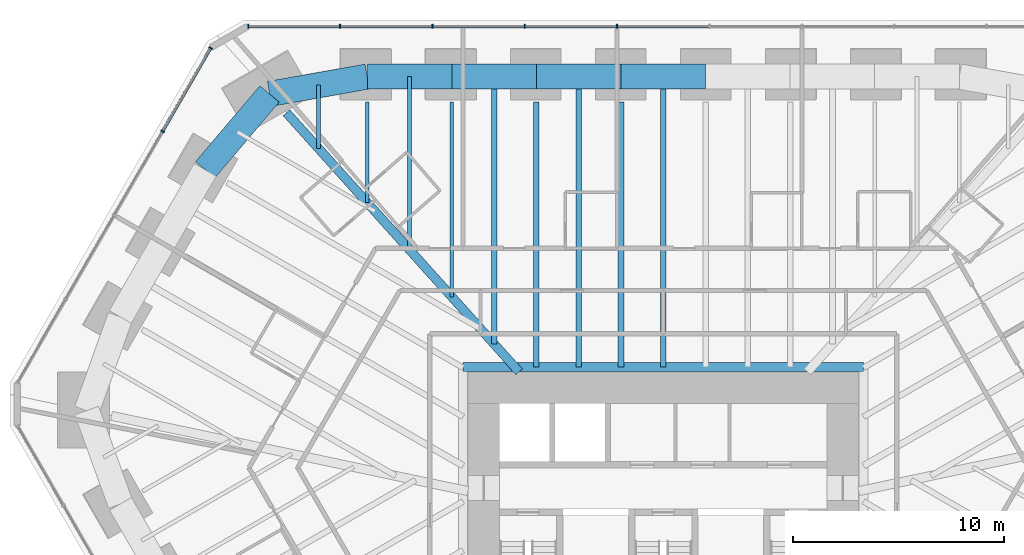
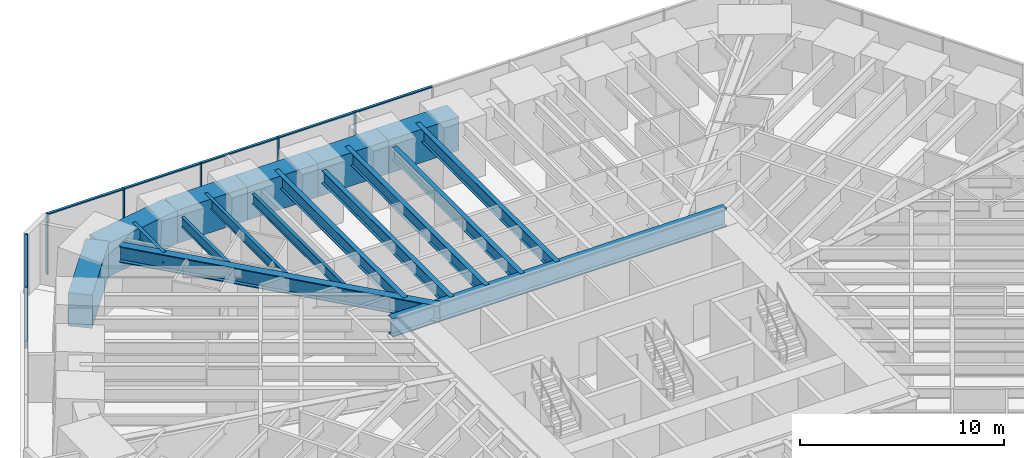
# One storey, part 8 of 17: 17 beams, 13 members, 2 elements without a shape of their own.
"""IFC4 building model written with IfcOpenShell, lengths in metres."""

from ifc_helpers import new_model, si_unit, direction, frame, origin, origin_2d, place, context, subcontext, project, spatial, rectangle, i_section, extrude, material, material_profile, profile_set, type_object, element, aggregate, save


model = new_model("IFC4")

# Units and contexts
model_context = context("Model", 3, precision=1e-05, world=origin(), true_north=direction((0.0, 1.0)))
body_context = subcontext(model_context, "Body", "Model", "MODEL_VIEW")
ifc_project = project(units=[si_unit("LENGTHUNIT", "METRE"), si_unit("AREAUNIT", "SQUARE_METRE"), si_unit("VOLUMEUNIT", "CUBIC_METRE"), si_unit("PLANEANGLEUNIT", "RADIAN"), si_unit("MASSUNIT", "GRAM", prefix="KILO")], contexts=[model_context])

# Site, building, storey
site_placement = place(None, origin())
site = spatial("IfcSite", under=ifc_project, at=site_placement, CompositionType="ELEMENT")
building_placement = place(site_placement, origin())
building = spatial("IfcBuilding", under=site, at=building_placement, Name="Sandreach Pilgrim Tower", CompositionType="ELEMENT")
storey_placement = place(building_placement, frame((0.0, 0.0, 83.800048828125)))
storey = spatial("IfcBuildingStorey", under=building, at=storey_placement, Name="L20", CompositionType="ELEMENT", Elevation=83.800048828125)

# Curtain wall, members
ifc_material_1 = material(Name="Aluminium framed curtain wall", Category="aluminium")
curtain_wall_type = type_object("IfcCurtainWallType", Name="Hostel tower curtain wall", PredefinedType="NOTDEFINED", material=ifc_material_1)
curtain_wall_1_placement = place(storey_placement, origin())
curtain_wall_1 = element("IfcCurtainWall", 1, at=curtain_wall_1_placement, inside=storey, type_object=curtain_wall_type, Name="CW-1 L20 N", PredefinedType="NOTDEFINED")
ifc_material_2 = material(Name="Aluminium extrusion", Category="aluminium")
ifc_material_profile_1 = material_profile(ifc_material_2, rectangle(XDim=0.06494140625, YDim=0.179931640625, at=origin_2d()), Name="CW-1M 65X180")
ifc_profile_set_1 = profile_set([ifc_material_profile_1], Name="Aluminium extrusion")
member_type_1 = type_object("IfcMemberType", Name="CW-1 mullion", PredefinedType="MULLION", material=ifc_profile_set_1)
member_1_placement = place(storey_placement, frame((-19.6396484375, 23.94873046875, 0.0), z_axis=(0.0, 0.0, 1.0), x_axis=(1.0, 0.0, 0.0)))
member_1 = element("IfcMember", 2, at=member_1_placement, type_object=member_type_1, Name="CW-1 mullion 1", PredefinedType="MULLION", context=body_context, shape_type="SweptSolid", body=[
    extrude(rectangle(XDim=0.06494140625, YDim=0.179931640625, at=origin_2d()), origin(), (0.0, 0.0, 1.0), 3.639892578125),
])
member_2_placement = place(storey_placement, frame((-15.300537109375, 23.94873046875, 0.0), z_axis=(0.0, 0.0, 1.0), x_axis=(1.0, 0.0, 0.0)))
member_2 = element("IfcMember", 3, at=member_2_placement, type_object=member_type_1, Name="CW-1 mullion 2", PredefinedType="MULLION", context=body_context, shape_type="SweptSolid", body=[
    extrude(rectangle(XDim=0.06494140625, YDim=0.179931640625, at=origin_2d()), origin(), (0.0, 0.0, 1.0), 3.639892578125),
])
member_3_placement = place(storey_placement, frame((-10.928955078125, 23.94873046875, 0.0), z_axis=(0.0, 0.0, 1.0), x_axis=(1.0, 0.0, 0.0)))
member_3 = element("IfcMember", 4, at=member_3_placement, type_object=member_type_1, Name="CW-1 mullion 3", PredefinedType="MULLION", context=body_context, shape_type="SweptSolid", body=[
    extrude(rectangle(XDim=0.06494140625, YDim=0.179931640625, at=origin_2d()), origin(), (0.0, 0.0, 1.0), 3.639892578125),
])
member_4_placement = place(storey_placement, frame((-6.557373046875, 23.94873046875, 0.0), z_axis=(0.0, 0.0, 1.0), x_axis=(1.0, 0.0, 0.0)))
member_4 = element("IfcMember", 5, at=member_4_placement, type_object=member_type_1, Name="CW-1 mullion 4", PredefinedType="MULLION", context=body_context, shape_type="SweptSolid", body=[
    extrude(rectangle(XDim=0.06494140625, YDim=0.179931640625, at=origin_2d()), origin(), (0.0, 0.0, 1.0), 3.639892578125),
])
member_5_placement = place(storey_placement, frame((-2.185791015625, 23.94873046875, 0.0), z_axis=(0.0, 0.0, 1.0), x_axis=(1.0, 0.0, 0.0)))
member_5 = element("IfcMember", 6, at=member_5_placement, type_object=member_type_1, Name="CW-1 mullion 5", PredefinedType="MULLION", context=body_context, shape_type="SweptSolid", body=[
    extrude(rectangle(XDim=0.06494140625, YDim=0.179931640625, at=origin_2d()), origin(), (0.0, 0.0, 1.0), 3.639892578125),
])

curtain_wall_2_placement = place(storey_placement, origin())
curtain_wall_2 = element("IfcCurtainWall", 7, at=curtain_wall_2_placement, inside=storey, type_object=curtain_wall_type, Name="CW-1 L20 NW", PredefinedType="NOTDEFINED")
member_6_placement = place(storey_placement, frame((-23.697265625, 18.97705078125, 0.0), z_axis=(0.0, 0.0, 1.0), x_axis=(0.5, 0.866025403784, 0.0)))
member_6 = element("IfcMember", 8, at=member_6_placement, type_object=member_type_1, Name="CW-1 mullion 4", PredefinedType="MULLION", context=body_context, shape_type="SweptSolid", body=[
    extrude(rectangle(XDim=0.06494140625, YDim=0.179931640625, at=origin_2d()), origin(), (0.0, 0.0, 1.0), 3.639892578125),
])
member_7_placement = place(storey_placement, frame((-21.42041015625, 22.920654296875, 0.0), z_axis=(0.0, 0.0, 1.0), x_axis=(0.5, 0.866025403784, 0.0)))
member_7 = element("IfcMember", 9, at=member_7_placement, type_object=member_type_1, Name="CW-1 mullion 5", PredefinedType="MULLION", context=body_context, shape_type="SweptSolid", body=[
    extrude(rectangle(XDim=0.06494140625, YDim=0.179931640625, at=origin_2d()), origin(), (0.0, 0.0, 1.0), 3.639892578125),
])

# Member
ifc_material_3 = material(Name="Aluminium extrusion", Category="aluminium")
ifc_material_profile_2 = material_profile(ifc_material_3, rectangle(XDim=0.139892578125, YDim=0.070068359375, at=origin_2d()), Name="CW-1T 140X70")
ifc_profile_set_2 = profile_set([ifc_material_profile_2], Name="Aluminium extrusion")
member_type_2 = type_object("IfcMemberType", Name="CW-1 transom", PredefinedType="USERDEFINED", material=ifc_profile_set_2)
member_8_placement = place(storey_placement, frame((-19.607177734375, 23.94873046875, 3.60498046875), z_axis=(1.0, 0.0, 0.0), x_axis=(0.0, 1.0, 0.0)))
member_8 = element("IfcMember", 10, at=member_8_placement, type_object=member_type_2, Name="CW-1 head transom 1", ObjectType="TRANSOM", PredefinedType="USERDEFINED", context=body_context, shape_type="SweptSolid", body=[
    extrude(rectangle(XDim=0.139892578125, YDim=0.070068359375, at=origin_2d()), origin(), (0.0, 0.0, 1.0), 4.274169921875),
])

member_9_placement = place(storey_placement, frame((-15.26806640625, 23.94873046875, 3.60498046875), z_axis=(1.0, 0.0, 0.0), x_axis=(0.0, 1.0, 0.0)))
member_9 = element("IfcMember", 11, at=member_9_placement, type_object=member_type_2, Name="CW-1 head transom 2", ObjectType="TRANSOM", PredefinedType="USERDEFINED", context=body_context, shape_type="SweptSolid", body=[
    extrude(rectangle(XDim=0.139892578125, YDim=0.070068359375, at=origin_2d()), origin(), (0.0, 0.0, 1.0), 4.306640625),
])

member_10_placement = place(storey_placement, frame((-10.896484375, 23.94873046875, 3.60498046875), z_axis=(1.0, 0.0, 0.0), x_axis=(0.0, 1.0, 0.0)))
member_10 = element("IfcMember", 12, at=member_10_placement, type_object=member_type_2, Name="CW-1 head transom 3", ObjectType="TRANSOM", PredefinedType="USERDEFINED", context=body_context, shape_type="SweptSolid", body=[
    extrude(rectangle(XDim=0.139892578125, YDim=0.070068359375, at=origin_2d()), origin(), (0.0, 0.0, 1.0), 4.306640625),
])

member_11_placement = place(storey_placement, frame((-6.52490234375, 23.94873046875, 3.60498046875), z_axis=(1.0, 0.0, 0.0), x_axis=(0.0, 1.0, 0.0)))
member_11 = element("IfcMember", 13, at=member_11_placement, type_object=member_type_2, Name="CW-1 head transom 4", ObjectType="TRANSOM", PredefinedType="USERDEFINED", context=body_context, shape_type="SweptSolid", body=[
    extrude(rectangle(XDim=0.139892578125, YDim=0.070068359375, at=origin_2d()), origin(), (0.0, 0.0, 1.0), 4.306640625),
])

member_12_placement = place(storey_placement, frame((-2.1533203125, 23.94873046875, 3.60498046875), z_axis=(1.0, 0.0, 0.0), x_axis=(0.0, 1.0, 0.0)))
member_12 = element("IfcMember", 14, at=member_12_placement, type_object=member_type_2, Name="CW-1 head transom 5", ObjectType="TRANSOM", PredefinedType="USERDEFINED", context=body_context, shape_type="SweptSolid", body=[
    extrude(rectangle(XDim=0.139892578125, YDim=0.070068359375, at=origin_2d()), origin(), (0.0, 0.0, 1.0), 4.306640625),
])

aggregate(curtain_wall_1, [member_1, member_2, member_3, member_4, member_5, member_8, member_9, member_10, member_11, member_12])

member_13_placement = place(storey_placement, frame((-23.680908203125, 19.005126953125, 3.60498046875), z_axis=(0.500017500808, 0.866015299452, 0.0), x_axis=(-0.866015299452, 0.500017500808, 0.0)))
member_13 = element("IfcMember", 15, at=member_13_placement, type_object=member_type_2, Name="CW-1 head transom 4", ObjectType="TRANSOM", PredefinedType="USERDEFINED", context=body_context, shape_type="SweptSolid", body=[
    extrude(rectangle(XDim=0.139892578125, YDim=0.070068359375, at=origin_2d()), origin(), (0.0, 0.0, 1.0), 4.488525390625),
])

aggregate(curtain_wall_2, [member_6, member_7, member_13])

# Beams
ifc_material_4 = material(Name="Steel ASTM A992 Grade 50", Category="steel")
ifc_material_profile_3 = material_profile(ifc_material_4, i_section(OverallWidth=0.424072265625, OverallDepth=1.09228515625, WebThickness=0.04541015625, FlangeThickness=0.08203125, at=origin_2d()), Name="W40X593")
ifc_profile_set_3 = profile_set([ifc_material_profile_3], Name="Steel ASTM A992 Grade 50")
beam_type_1 = type_object("IfcBeamType", Name="Core edge beam W40X593", PredefinedType="BEAM", material=ifc_profile_set_3)
beam_1_placement = place(storey_placement, frame((-9.47216796875, 7.822021484375, 3.09375), z_axis=(1.0, 0.0, 0.0), x_axis=(0.0, 1.0, 0.0)))
element("IfcBeam", 16, at=beam_1_placement, inside=storey, type_object=beam_type_1, Name="BM L20 CEN", PredefinedType="BEAM", context=body_context, shape_type="SweptSolid", body=[
    extrude(i_section(OverallWidth=0.424072265625, OverallDepth=1.09228515625, WebThickness=0.04541015625, FlangeThickness=0.08203125, at=origin_2d()), origin(), (0.0, 0.0, 1.0), 18.9443359375),
])
ifc_material_5 = material(Name="Steel ASTM A992 Grade 50", Category="steel")
ifc_material_profile_4 = material_profile(ifc_material_5, i_section(OverallWidth=0.424072265625, OverallDepth=0.965087890625, WebThickness=0.028564453125, FlangeThickness=0.051025390625, at=origin_2d()), Name="W36X361")
ifc_profile_set_4 = profile_set([ifc_material_profile_4], Name="Steel ASTM A992 Grade 50")
beam_type_2 = type_object("IfcBeamType", Name="Corner girder W36X361", PredefinedType="BEAM", material=ifc_profile_set_4)
beam_2_placement = place(storey_placement, frame((-17.83203125, 19.85888671875, 3.157470703125), z_axis=(0.668122694927, -0.744051116875, 0.0), x_axis=(0.744051116875, 0.668122694927, 0.0)))
element("IfcBeam", 17, at=beam_2_placement, inside=storey, type_object=beam_type_2, Name="BM L20 CG39", PredefinedType="BEAM", context=body_context, shape_type="SweptSolid", body=[
    extrude(i_section(OverallWidth=0.424072265625, OverallDepth=0.965087890625, WebThickness=0.028564453125, FlangeThickness=0.051025390625, at=origin_2d()), origin(), (0.0, 0.0, 1.0), 16.475830078125),
])
ifc_material_6 = material(Name="Steel ASTM A992 Grade 50", Category="steel")
ifc_material_profile_5 = material_profile(ifc_material_6, i_section(OverallWidth=0.1787109375, OverallDepth=0.60205078125, WebThickness=0.010986328125, FlangeThickness=0.014892578125, at=origin_2d()), Name="W24X62")
ifc_profile_set_5 = profile_set([ifc_material_profile_5], Name="Steel ASTM A992 Grade 50")
beam_type_3 = type_object("IfcBeamType", Name="Floor beam W24X62", PredefinedType="BEAM", material=ifc_profile_set_5)
beam_3_placement = place(storey_placement, frame((-14.00927734375, 20.371826171875, 3.3388671875), z_axis=(0.0, -1.0, 0.0), x_axis=(1.0, 0.0, 0.0)))
element("IfcBeam", 18, at=beam_3_placement, inside=storey, type_object=beam_type_3, Name="BM L20 F01", PredefinedType="BEAM", context=body_context, shape_type="SweptSolid", body=[
    extrude(i_section(OverallWidth=0.1787109375, OverallDepth=0.60205078125, WebThickness=0.010986328125, FlangeThickness=0.014892578125, at=origin_2d()), origin(), (0.0, 0.0, 1.0), 4.770263671875),
])
beam_4_placement = place(storey_placement, frame((-10.006591796875, 20.371826171875, 3.3388671875), z_axis=(0.0, -1.0, 0.0), x_axis=(1.0, 0.0, 0.0)))
element("IfcBeam", 19, at=beam_4_placement, inside=storey, type_object=beam_type_3, Name="BM L20 F02", PredefinedType="BEAM", context=body_context, shape_type="SweptSolid", body=[
    extrude(i_section(OverallWidth=0.1787109375, OverallDepth=0.60205078125, WebThickness=0.010986328125, FlangeThickness=0.014892578125, at=origin_2d()), origin(), (0.0, 0.0, 1.0), 9.227783203125),
])
beam_5_placement = place(storey_placement, frame((-12.008056640625, 21.57177734375, 3.3388671875), z_axis=(0.0, -1.0, 0.0), x_axis=(1.0, 0.0, 0.0)))
element("IfcBeam", 20, at=beam_5_placement, inside=storey, type_object=beam_type_3, Name="BM L20 FM01", PredefinedType="BEAM", context=body_context, shape_type="SweptSolid", body=[
    extrude(i_section(OverallWidth=0.1787109375, OverallDepth=0.60205078125, WebThickness=0.010986328125, FlangeThickness=0.014892578125, at=origin_2d()), origin(), (0.0, 0.0, 1.0), 8.198974609375),
])
beam_6_placement = place(storey_placement, frame((-16.321533203125, 21.16162109375, 3.3388671875), z_axis=(0.0, -1.0, 0.0), x_axis=(1.0, 0.0, 0.0)))
element("IfcBeam", 21, at=beam_6_placement, inside=storey, type_object=beam_type_3, Name="BM L20 FM39", PredefinedType="BEAM", context=body_context, shape_type="SweptSolid", body=[
    extrude(i_section(OverallWidth=0.1787109375, OverallDepth=0.60205078125, WebThickness=0.010986328125, FlangeThickness=0.014892578125, at=origin_2d()), origin(), (0.0, 0.0, 1.0), 2.98486328125),
])
ifc_material_7 = material(Name="Steel ASTM A992 Grade 50", Category="steel")
ifc_material_profile_6 = material_profile(ifc_material_7, i_section(OverallWidth=0.2666015625, OverallDepth=0.761962890625, WebThickness=0.014404296875, FlangeThickness=0.021484375, at=origin_2d()), Name="W30X116")
ifc_profile_set_6 = profile_set([ifc_material_profile_6], Name="Steel ASTM A992 Grade 50")
beam_type_4 = type_object("IfcBeamType", Name="Floor beam W30X116", PredefinedType="BEAM", material=ifc_profile_set_6)
for number, where, z_axis, x_axis, name in (
    (22, (-6.00390625, 20.371826171875, 3.259033203125), (0.0, -1.0, 0.0), (1.0, 0.0, 0.0), "BM L20 F03"),
    (23, (-2.001220703125, 20.371826171875, 3.259033203125), (0.0, -1.0, 0.0), (1.0, 0.0, 0.0), "BM L20 F04"),
):
    element("IfcBeam", number, at=place(storey_placement, frame(where, z_axis=z_axis, x_axis=x_axis)), inside=storey, type_object=beam_type_4, Name=name, PredefinedType="BEAM", context=body_context, shape_type="SweptSolid", body=[
        extrude(i_section(OverallWidth=0.2666015625, OverallDepth=0.761962890625, WebThickness=0.014404296875, FlangeThickness=0.021484375, at=origin_2d()), origin(), (0.0, 0.0, 1.0), 12.5498046875),
    ])
beam_7_placement = place(storey_placement, frame((-8.00537109375, 21.57177734375, 3.259033203125), z_axis=(0.0, -1.0, 0.0), x_axis=(1.0, 0.0, 0.0)))
element("IfcBeam", 24, at=beam_7_placement, inside=storey, type_object=beam_type_4, Name="BM L20 FM02", PredefinedType="BEAM", context=body_context, shape_type="SweptSolid", body=[
    extrude(i_section(OverallWidth=0.2666015625, OverallDepth=0.761962890625, WebThickness=0.014404296875, FlangeThickness=0.021484375, at=origin_2d()), origin(), (0.0, 0.0, 1.0), 12.656494140625),
])
for number, where, z_axis, x_axis, name in (
    (25, (-4.002685546875, 21.57177734375, 3.259033203125), (0.0, -1.0, 0.0), (1.0, 0.0, 0.0), "BM L20 FM03"),
    (26, (0.0, 21.57177734375, 3.259033203125), (0.0, -1.0, 0.0), (1.0, 0.0, 0.0), "BM L20 FM04"),
):
    element("IfcBeam", number, at=place(storey_placement, frame(where, z_axis=z_axis, x_axis=x_axis)), inside=storey, type_object=beam_type_4, Name=name, PredefinedType="BEAM", context=body_context, shape_type="SweptSolid", body=[
        extrude(i_section(OverallWidth=0.2666015625, OverallDepth=0.761962890625, WebThickness=0.014404296875, FlangeThickness=0.021484375, at=origin_2d()), origin(), (0.0, 0.0, 1.0), 13.749755859375),
    ])
ifc_material_8 = material(Name="Concrete 10000 psi", Category="concrete")
ifc_material_profile_7 = material_profile(ifc_material_8, rectangle(XDim=1.199951171875, YDim=2.0, at=origin_2d()), Name="RC1200X2000")
ifc_profile_set_7 = profile_set([ifc_material_profile_7], Name="Concrete 10000 psi")
beam_type_5 = type_object("IfcBeamType", Name="Spandrel beam RC1200X2000", PredefinedType="SPANDREL", material=ifc_profile_set_7)
for number, where, z_axis, x_axis, name in (
    (27, (-14.00927734375, 21.57177734375, 2.639892578125), (1.0, 0.0, 0.0), (0.0, 1.0, 0.0), "BM L20 SP01"),
    (28, (-10.006591796875, 21.57177734375, 2.639892578125), (1.0, 0.0, 0.0), (0.0, 1.0, 0.0), "BM L20 SP02"),
    (29, (-6.00390625, 21.57177734375, 2.639892578125), (1.0, 0.0, 0.0), (0.0, 1.0, 0.0), "BM L20 SP03"),
):
    element("IfcBeam", number, at=place(storey_placement, frame(where, z_axis=z_axis, x_axis=x_axis)), inside=storey, type_object=beam_type_5, Name=name, PredefinedType="SPANDREL", context=body_context, shape_type="SweptSolid", body=[
        extrude(rectangle(XDim=1.199951171875, YDim=2.0, at=origin_2d()), origin(), (0.0, 0.0, 1.0), 4.002685546875),
    ])
beam_8_placement = place(storey_placement, frame((-2.001220703125, 21.57177734375, 2.639892578125), z_axis=(1.0, 0.0, 0.0), x_axis=(0.0, 1.0, 0.0)))
element("IfcBeam", 30, at=beam_8_placement, inside=storey, type_object=beam_type_5, Name="BM L20 SP04", PredefinedType="SPANDREL", context=body_context, shape_type="SweptSolid", body=[
    extrude(rectangle(XDim=1.199951171875, YDim=2.0, at=origin_2d()), origin(), (0.0, 0.0, 1.0), 4.00244140625),
])
beam_9_placement = place(storey_placement, frame((-21.68115234375, 17.156494140625, 2.639892578125), z_axis=(0.646592211224, 0.762835835802, 0.0), x_axis=(-0.762835835802, 0.646592211224, 0.0)))
element("IfcBeam", 31, at=beam_9_placement, inside=storey, type_object=beam_type_5, Name="BM L20 SP38", PredefinedType="SPANDREL", context=body_context, shape_type="SweptSolid", body=[
    extrude(rectangle(XDim=1.199951171875, YDim=2.0, at=origin_2d()), origin(), (0.0, 0.0, 1.0), 4.712890625),
])
beam_10_placement = place(storey_placement, frame((-18.6337890625, 20.751708984375, 2.639892578125), z_axis=(0.98463826043, 0.174606689726, 0.0), x_axis=(-0.174606689726, 0.98463826043, 0.0)))
element("IfcBeam", 32, at=beam_10_placement, inside=storey, type_object=beam_type_5, Name="BM L20 SP39", PredefinedType="SPANDREL", context=body_context, shape_type="SweptSolid", body=[
    extrude(rectangle(XDim=1.199951171875, YDim=2.0, at=origin_2d()), origin(), (0.0, 0.0, 1.0), 4.69677734375),
])

save(model, "model.ifc")
